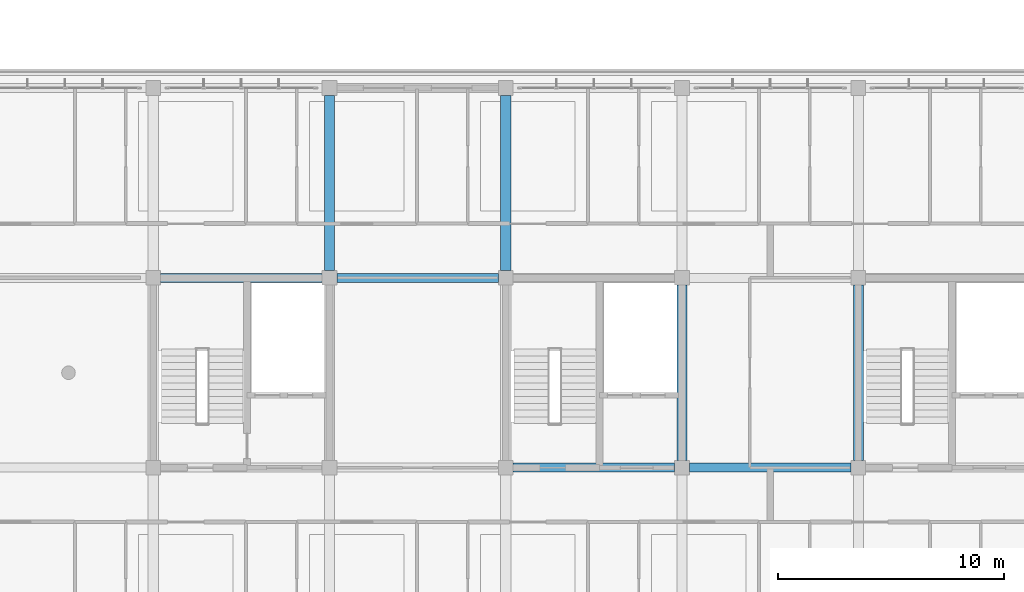
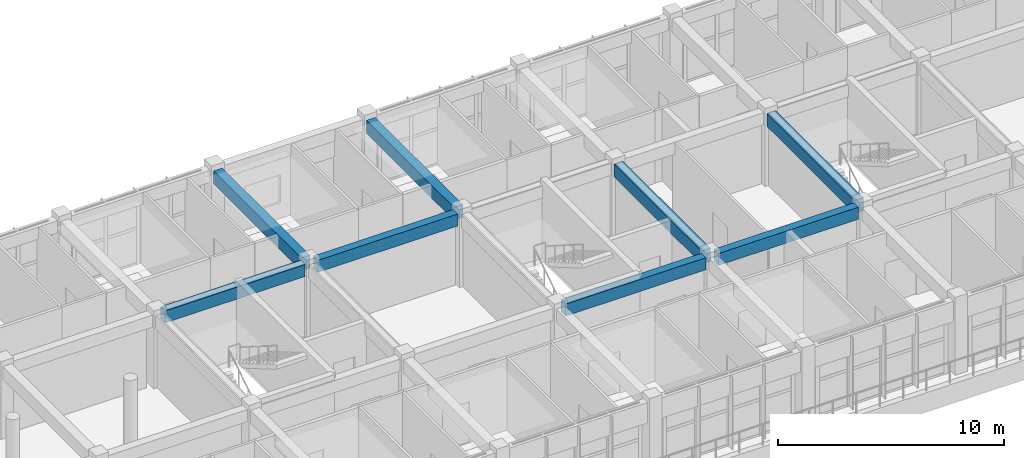
# One storey, part 17 of 63: 8 beams.
"""IFC4 building model written with IfcOpenShell, lengths in metres."""

from ifc_helpers import new_model, si_unit, direction, frame, origin, origin_2d, place, context, subcontext, project, spatial, rectangle, extrude, material, material_profile, profile_set, type_object, element, save


model = new_model("IFC4")

# Units and contexts
model_context = context("Model", 3, precision=1e-05, world=origin(), true_north=direction((0.0, 1.0)))
body_context = subcontext(model_context, "Body", "Model", "MODEL_VIEW")
ifc_project = project(units=[si_unit("LENGTHUNIT", "METRE"), si_unit("AREAUNIT", "SQUARE_METRE"), si_unit("VOLUMEUNIT", "CUBIC_METRE"), si_unit("PLANEANGLEUNIT", "RADIAN"), si_unit("MASSUNIT", "GRAM", prefix="KILO")], contexts=[model_context])

# Site, building, storey
site_placement = place(None, origin())
site = spatial("IfcSite", under=ifc_project, at=site_placement, CompositionType="ELEMENT")
building_placement = place(site_placement, origin())
building = spatial("IfcBuilding", under=site, at=building_placement, Name="Zizhar Promenade General Hospital", CompositionType="ELEMENT")
storey_placement = place(building_placement, frame((0.0, 0.0, 18.0)))
storey = spatial("IfcBuildingStorey", under=building, at=storey_placement, Name="L04", CompositionType="ELEMENT", Elevation=18.0)

# Beams
ifc_material_1 = material(Name="Concrete C35/45", Category="concrete")
ifc_material_profile_1 = material_profile(ifc_material_1, rectangle(XDim=0.39990234375, YDim=0.64990234375, at=origin_2d()))
ifc_profile_set_1 = profile_set([ifc_material_profile_1], Name="Concrete C35/45")
beam_type_1 = type_object("IfcBeamType", Name="BM-RC-400x650", PredefinedType="BEAM", material=ifc_profile_set_1)
for number, where, z_axis, x_axis, name in (
    (1, (47.125, 16.800048828125, 3.5849609375), (1.0, 0.0, 0.0), (0.0, 1.0, 0.0), "Grid Beam X L04 (6-2)"),
    (2, (54.925048828125, 16.800048828125, 3.5849609375), (1.0, 0.0, 0.0), (0.0, 1.0, 0.0), "Grid Beam X L04 (7-2)"),
    (3, (62.72509765625, 8.39990234375, 3.5849609375), (1.0, 0.0, 0.0), (0.0, 1.0, 0.0), "Grid Beam X L04 (8-1)"),
):
    element("IfcBeam", number, at=place(storey_placement, frame(where, z_axis=z_axis, x_axis=x_axis)), inside=storey, type_object=beam_type_1, Name=name, PredefinedType="BEAM", context=body_context, shape_type="SweptSolid", body=[
        extrude(rectangle(XDim=0.39990234375, YDim=0.64990234375, at=origin_2d()), origin(), (0.0, 0.0, 1.0), 7.14990234375),
    ])
beam_placement = place(storey_placement, frame((70.52490234375, 8.39990234375, 3.5849609375), z_axis=(1.0, 0.0, 0.0), x_axis=(0.0, 1.0, 0.0)))
element("IfcBeam", 4, at=beam_placement, inside=storey, type_object=beam_type_1, Name="Grid Beam X L04 (9-1)", PredefinedType="BEAM", context=body_context, shape_type="SweptSolid", body=[
    extrude(rectangle(XDim=0.39990234375, YDim=0.64990234375, at=origin_2d()), origin(), (0.0, 0.0, 1.0), 7.150146484375),
])
ifc_material_2 = material(Name="Concrete C35/45", Category="concrete")
ifc_material_profile_2 = material_profile(ifc_material_2, rectangle(XDim=0.449951171875, YDim=0.699951171875, at=origin_2d()))
ifc_profile_set_2 = profile_set([ifc_material_profile_2], Name="Concrete C35/45")
beam_type_2 = type_object("IfcBeamType", Name="BM-RC-450x700", PredefinedType="BEAM", material=ifc_profile_set_2)
for number, where, z_axis, x_axis, name in (
    (5, (54.60009765625, 17.125, 3.56005859375), (0.0, 1.0, 0.0), (-1.0, 0.0, 0.0), "Grid Beam Y L04 (7-2)"),
    (6, (62.39990234375, 17.125, 3.56005859375), (0.0, 1.0, 0.0), (-1.0, 0.0, 0.0), "Grid Beam Y L04 (8-2)"),
    (7, (70.199951171875, 8.72509765625, 3.56005859375), (0.0, 1.0, 0.0), (-1.0, 0.0, 0.0), "Grid Beam Y L04 (9-1)"),
    (8, (78.0, 8.72509765625, 3.56005859375), (0.0, 1.0, 0.0), (-1.0, 0.0, 0.0), "Grid Beam Y L04 (10-1)"),
):
    element("IfcBeam", number, at=place(storey_placement, frame(where, z_axis=z_axis, x_axis=x_axis)), inside=storey, type_object=beam_type_2, Name=name, PredefinedType="BEAM", context=body_context, shape_type="SweptSolid", body=[
        extrude(rectangle(XDim=0.449951171875, YDim=0.699951171875, at=origin_2d()), origin(), (0.0, 0.0, 1.0), 7.75),
    ])

save(model, "model.ifc")
